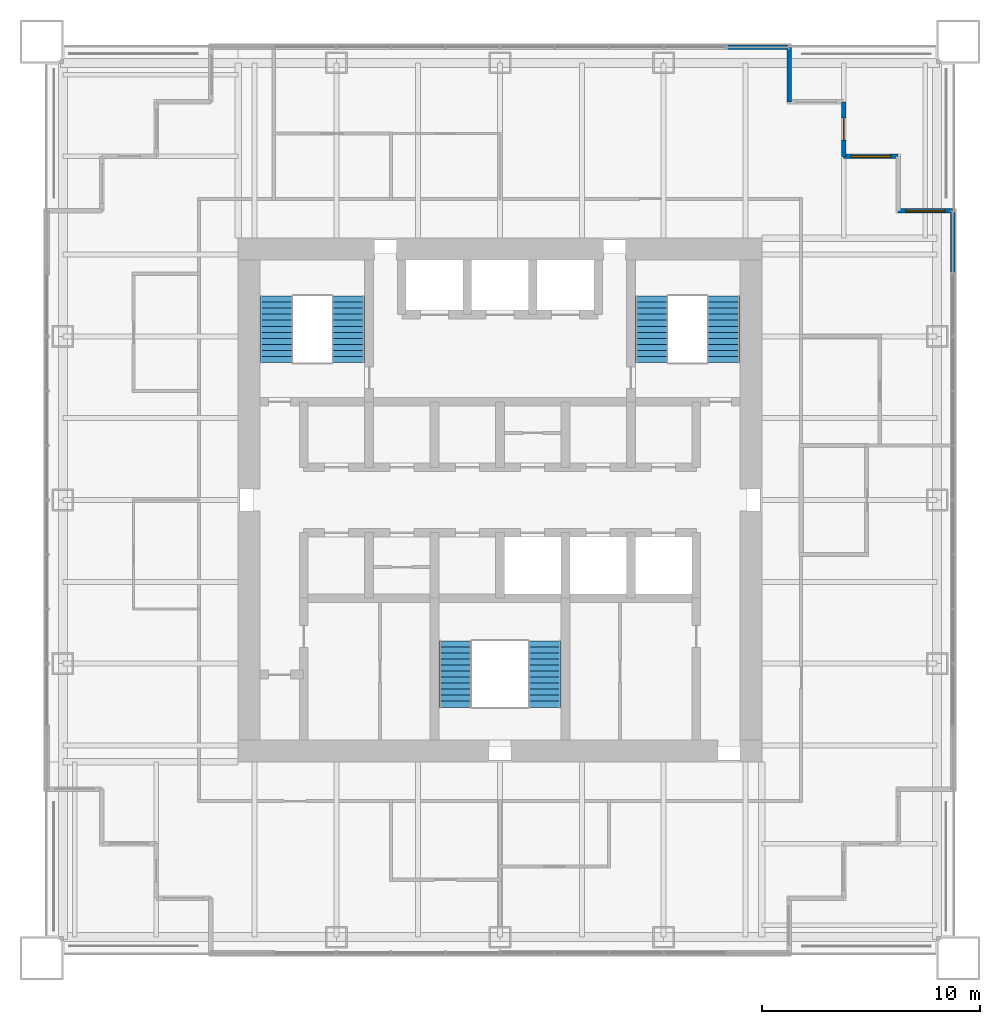
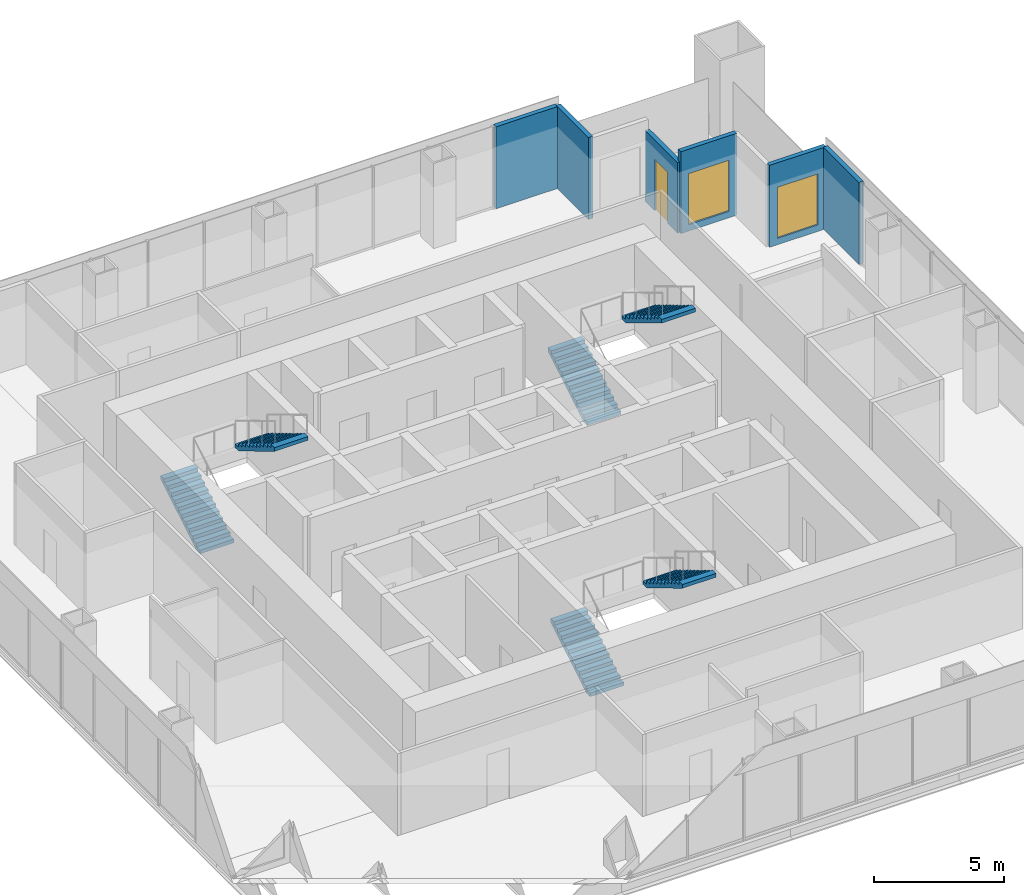
# One storey, part 12 of 14: 6 stair flights, 6 walls, 2 windows, 1 door, 3 openings, 3 elements without a shape of their own.
"""IFC4 building model written with IfcOpenShell, lengths in metres."""

import ifcopenshell
import ifcopenshell.guid

model = None  # the IFC model being written
_history = None  # IfcOwnerHistory: only IFC2X3 demands one
_inside = {}  # id of a spatial element -> (the spatial element, [elements in it])
_under = {}  # id of a project, library or spatial element -> (it, [spatial elements below it])
_declared = {}  # id of a project -> (the project, [libraries it declares])
_typed = {}  # id of a type object -> (the type object, [elements of that type])
_made_of = {}  # id of a material, layer set ... -> (it, [elements and type objects made of it])


def new_model(schema):
    """Start an empty IFC model of exactly this schema.

    Asked for "IFC4X3", IfcOpenShell would pick the latest addendum, in which some entities
    have other attributes; the version numbers below select the first issue.
    IFC2X3 requires an IfcOwnerHistory on every rooted entity: one is made here for all.
    """
    global model, _history
    if schema == "IFC4X3":
        model = ifcopenshell.file(schema_version=(4, 3, 0, 0))
    else:
        model = ifcopenshell.file(schema=schema)
    _inside.clear()
    _under.clear()
    _declared.clear()
    _typed.clear()
    _made_of.clear()
    _history = None
    if model.schema == "IFC2X3":
        org = make("IfcOrganization", Name="unknown")
        user = make(
            "IfcPersonAndOrganization",
            ThePerson=make("IfcPerson", FamilyName="unknown"),
            TheOrganization=org,
        )
        app = make(
            "IfcApplication",
            ApplicationDeveloper=org,
            Version="unknown",
            ApplicationFullName="unknown",
            ApplicationIdentifier="unknown",
        )
        _history = make(
            "IfcOwnerHistory",
            OwningUser=user,
            OwningApplication=app,
            ChangeAction="ADDED",
            CreationDate=0,
        )
    return model


def make(cls, **values):
    """One entity of the class cls with the attributes given. An attribute that is None is left unset."""
    return model.create_entity(
        cls, **{name: value for name, value in values.items() if value is not None}
    )


def rooted(cls, **values):
    """An entity with a GlobalId (a new one), such as an element, a storey or a relation."""
    return make(cls, GlobalId=ifcopenshell.guid.new(), OwnerHistory=_history, **values)


def si_unit(unit_type, name, prefix=None):
    """IfcSIUnit, for example si_unit("LENGTHUNIT", "METRE", prefix="MILLI")."""
    return make("IfcSIUnit", UnitType=unit_type, Prefix=prefix, Name=name)


def assignment(units):
    """IfcUnitAssignment: the units of a project."""
    return None if units is None else make("IfcUnitAssignment", Units=units)


def point(xyz):
    """IfcCartesianPoint."""
    return None if xyz is None else make("IfcCartesianPoint", Coordinates=xyz)


def direction(xyz):
    """IfcDirection."""
    return None if xyz is None else make("IfcDirection", DirectionRatios=xyz)


def frame(location, z_axis=None, x_axis=None):
    """IfcAxis2Placement3D, a coordinate frame: its origin and axes. An axis left out is left unset."""
    return make(
        "IfcAxis2Placement3D",
        Location=point(location),
        Axis=direction(z_axis),
        RefDirection=direction(x_axis),
    )


def frame_2d(location, x_axis=None):
    """IfcAxis2Placement2D, a coordinate frame in the plane: its origin and x axis."""
    return make(
        "IfcAxis2Placement2D", Location=point(location), RefDirection=direction(x_axis)
    )


def origin():
    """The frame at (0, 0, 0) with its axes left unset."""
    return frame((0.0, 0.0, 0.0))


def place(relative_to, where):
    """IfcLocalPlacement: puts the frame where relative to a parent placement (None: the world)."""
    return make(
        "IfcLocalPlacement", PlacementRelTo=relative_to, RelativePlacement=where
    )


def context(
    kind, dimensions, precision=None, world=None, true_north=None, identifier=None
):
    """IfcGeometricRepresentationContext, for example the 3D "Model" context."""
    return make(
        "IfcGeometricRepresentationContext",
        ContextIdentifier=identifier,
        ContextType=kind,
        CoordinateSpaceDimension=dimensions,
        Precision=precision,
        WorldCoordinateSystem=world,
        TrueNorth=true_north,
    )


def subcontext(parent, identifier, kind, view, scale=None):
    """IfcGeometricRepresentationSubContext, for example "Body" below "Model"."""
    return make(
        "IfcGeometricRepresentationSubContext",
        ContextIdentifier=identifier,
        ContextType=kind,
        ParentContext=parent,
        TargetScale=scale,
        TargetView=view,
    )


def project(units=None, contexts=None):
    """IfcProject with its units and contexts."""
    return rooted(
        "IfcProject",
        Name="project",
        RepresentationContexts=contexts,
        UnitsInContext=assignment(units),
    )


def spatial(cls, under=None, at=None, **own):
    """A site, building, storey or space (cls), placed at a placement, below another one or the project."""
    s = rooted(cls, ObjectPlacement=at, **own)
    if under is not None:
        _under.setdefault(under.id(), (under, []))[1].append(s)
    return s


def polyline(points):
    """IfcPolyline through the points."""
    return make("IfcPolyline", Points=[point(p) for p in points])


def profile(cls, at=None, kind="AREA", **sizes):
    """A parametric profile (cls). Its sizes go by their IFC names, for example OverallWidth=200.0."""
    return make(cls, ProfileType=kind, Position=at, **sizes)


def rectangle(**sizes):
    """IfcRectangleProfileDef."""
    return profile("IfcRectangleProfileDef", **sizes)


def outline(outer, holes=None, kind="AREA"):
    """IfcArbitraryClosedProfileDef: a profile drawn as a closed curve; with holes, ...WithVoids."""
    if holes is None:
        return make("IfcArbitraryClosedProfileDef", ProfileType=kind, OuterCurve=outer)
    return make(
        "IfcArbitraryProfileDefWithVoids",
        ProfileType=kind,
        OuterCurve=outer,
        InnerCurves=holes,
    )


def extrude(swept, where, along, depth):
    """IfcExtrudedAreaSolid: the profile swept, set in the frame where, extruded along a direction by depth."""
    return make(
        "IfcExtrudedAreaSolid",
        SweptArea=swept,
        Position=where,
        ExtrudedDirection=direction(along),
        Depth=depth,
    )


def shape(context_of_items, identifier, shape_type, items):
    """IfcShapeRepresentation: the items that make up one representation, for example the "Body"."""
    return make(
        "IfcShapeRepresentation",
        ContextOfItems=context_of_items,
        RepresentationIdentifier=identifier,
        RepresentationType=shape_type,
        Items=items,
    )


def material(Name=None, Category=None):
    """IfcMaterial."""
    return make("IfcMaterial", Name=Name, Category=Category)


def layer(
    of_material, thickness, ventilated=None, Name=None, Category=None, Priority=None
):
    """IfcMaterialLayer: one layer of a wall or slab, of a material (None: an air gap)."""
    return make(
        "IfcMaterialLayer",
        Material=of_material,
        LayerThickness=thickness,
        IsVentilated=ventilated,
        Name=Name,
        Category=Category,
        Priority=Priority,
    )


def layer_set(layers, Name=None):
    """IfcMaterialLayerSet."""
    return make("IfcMaterialLayerSet", MaterialLayers=layers, LayerSetName=Name)


def made_of(thing, what):
    """Note that an element or type object is made of a material, layer set ...; save() writes the relation."""
    if what is not None:
        _made_of.setdefault(what.id(), (what, []))[1].append(thing)
    return thing


def type_object(cls, material=None, **own):
    """A type object (cls), such as IfcWallType, which elements share."""
    return made_of(rooted(cls, **own), material)


def element(
    cls,
    number,
    at=None,
    inside=None,
    cuts=None,
    type_object=None,
    material=None,
    context=None,
    identifier="Body",
    shape_type=None,
    held_by="IfcProductDefinitionShape",
    body=None,
    shapes=None,
    **own,
):
    """One element of the class cls, such as IfcWall. Its Tag is "e" and its number.

    at: its placement. inside: the storey or other place that contains it. cuts: it is an
    opening in that element (IfcRelVoidsElement). A single representation is given by context,
    identifier, shape_type and body (its items); several are given by shapes. held_by: the class
    of the entity that holds the representations. save() writes the other relations.
    """
    e = rooted(cls, Tag="e%d" % number, ObjectPlacement=at, **own)
    if body is not None:
        shapes = [shape(context, identifier, shape_type, body)]
    if shapes is not None:
        e.Representation = make(held_by, Representations=shapes)
    if inside is not None:
        _inside.setdefault(inside.id(), (inside, []))[1].append(e)
    if cuts is not None:
        rooted(
            "IfcRelVoidsElement", RelatingBuildingElement=cuts, RelatedOpeningElement=e
        )
    if type_object is not None:
        _typed.setdefault(type_object.id(), (type_object, []))[1].append(e)
    return made_of(e, material)


def fill(opening, filler):
    """IfcRelFillsElement: the door or window that sits in an opening."""
    return rooted(
        "IfcRelFillsElement",
        RelatingOpeningElement=opening,
        RelatedBuildingElement=filler,
    )


def aggregate(whole, parts):
    """IfcRelAggregates: a whole, such as a stair, and the parts it consists of."""
    return rooted("IfcRelAggregates", RelatingObject=whole, RelatedObjects=parts)


def save(model, path):
    """Write the relations noted so far, then the file.

    IfcRelAggregates (storeys below a building ...), IfcRelContainedInSpatialStructure (elements
    in a storey), IfcRelDefinesByType, IfcRelAssociatesMaterial and IfcRelDeclares: one each for
    every whole, place, type object, material and project.
    """
    for whole, parts in _under.values():
        aggregate(whole, parts)
    for where, things in _inside.values():
        rooted(
            "IfcRelContainedInSpatialStructure",
            RelatedElements=things,
            RelatingStructure=where,
        )
    for kind, things in _typed.values():
        rooted("IfcRelDefinesByType", RelatedObjects=things, RelatingType=kind)
    for what, things in _made_of.values():
        rooted("IfcRelAssociatesMaterial", RelatedObjects=things, RelatingMaterial=what)
    for by, libraries in _declared.values():
        rooted("IfcRelDeclares", RelatingContext=by, RelatedDefinitions=libraries)
    model.write(path)


model = new_model("IFC4")

# Units and contexts
model_context = context("Model", 3, precision=1e-05, world=origin(), true_north=direction((0.0, 1.0)))
body_context = subcontext(model_context, "Body", "Model", "MODEL_VIEW")
ifc_project = project(units=[si_unit("LENGTHUNIT", "METRE"), si_unit("AREAUNIT", "SQUARE_METRE"), si_unit("VOLUMEUNIT", "CUBIC_METRE"), si_unit("PLANEANGLEUNIT", "RADIAN"), si_unit("MASSUNIT", "GRAM", prefix="KILO")], contexts=[model_context])

# Site, building, storey
site_placement = place(None, origin())
site = spatial("IfcSite", under=ifc_project, at=site_placement, CompositionType="ELEMENT")
building_placement = place(site_placement, origin())
building = spatial("IfcBuilding", under=site, at=building_placement, Name="Tarangal Relay Tower", CompositionType="ELEMENT")
storey_placement = place(building_placement, frame((0.0, 0.0, 263.89990234375)))
storey = spatial("IfcBuildingStorey", under=building, at=storey_placement, Name="L57", CompositionType="ELEMENT", Elevation=263.89990234375)

# Wall
ifc_material_1 = material(Name="Black metal clad insulated wall", Category="steel")
ifc_layer_1 = layer(ifc_material_1, 0.199951171875)
ifc_layer_set_1 = layer_set([ifc_layer_1], Name="Corner wall metal clad 200")
wall_type_1 = type_object("IfcWallType", Name="Corner wall metal clad 200", PredefinedType="SOLIDWALL", material=ifc_layer_set_1)
wall_1_placement = place(storey_placement, frame((13.25, 20.75, 0.0), z_axis=(0.0, 0.0, 1.0), x_axis=(0.0, -1.0, 0.0)))
element("IfcWall", 1, at=wall_1_placement, inside=storey, type_object=wall_type_1, Name="Facade wall N facade L57", PredefinedType="SOLIDWALL", context=body_context, shape_type="SweptSolid", body=[
    extrude(rectangle(XDim=2.5, YDim=0.199951171875, at=frame_2d((1.25, 0.0))), origin(), (0.0, 0.0, 1.0), 3.85009765625),
])

# Wall, opening, door
wall_2_placement = place(storey_placement, frame((15.75, 18.25, 0.0), z_axis=(0.0, 0.0, 1.0), x_axis=(0.0, -1.0, 0.0)))
wall_2 = element("IfcWall", 2, at=wall_2_placement, inside=storey, type_object=wall_type_1, Name="Facade wall N facade L57", PredefinedType="SOLIDWALL", context=body_context, shape_type="SweptSolid", body=[
    extrude(rectangle(XDim=2.5, YDim=0.199951171875, at=frame_2d((1.25, 0.0))), origin(), (0.0, 0.0, 1.0), 3.316650390625),
])
opening_1_placement = place(wall_2_placement, frame((0.75, 0.0, 0.0)))
opening_1 = element("IfcOpeningElement", 3, at=opening_1_placement, cuts=wall_2, Name="Opening TD1", PredefinedType="OPENING", context=body_context, shape_type="SweptSolid", body=[
    extrude(rectangle(XDim=1.0, YDim=2.39990234375, at=frame_2d((0.5, 1.199951171875))), frame((0.0, 0.10986328125, 0.0), z_axis=(0.0, -1.0, 0.0), x_axis=(1.0, 0.0, 0.0)), (0.0, 0.0, 1.0), 0.219970703125),
])
ifc_material_2 = material(Name="Aluminium glazed door", Category="aluminium")
door_type = type_object("IfcDoorType", Name="Terrace door 1000 x 2400", OperationType="SINGLE_SWING_RIGHT", PredefinedType="DOOR", material=ifc_material_2)
door_placement = place(opening_1_placement, origin())
door = element("IfcDoor", 4, at=door_placement, inside=storey, type_object=door_type, Name="Terrace door TD1 NE L57", OperationType="SINGLE_SWING_RIGHT", OverallHeight=2.39990234375, OverallWidth=1.0, PredefinedType="DOOR", context=body_context, shape_type="SweptSolid", body=[
    extrude(rectangle(XDim=1.0, YDim=2.39990234375, at=frame_2d((0.5, 1.199951171875))), frame((0.0, 0.02490234375, 0.0), z_axis=(0.0, -1.0, 0.0), x_axis=(1.0, 0.0, 0.0)), (0.0, 0.0, 1.0), 0.050048828125),
])
fill(opening_1, door)

# Wall, opening, window
wall_3_placement = place(storey_placement, frame((15.75, 15.75, 0.0), z_axis=(0.0, 0.0, 1.0), x_axis=(1.0, 0.0, 0.0)))
wall_3 = element("IfcWall", 5, at=wall_3_placement, inside=storey, type_object=wall_type_1, Name="Facade wall N facade L57", PredefinedType="SOLIDWALL", context=body_context, shape_type="SweptSolid", body=[
    extrude(rectangle(XDim=2.5, YDim=0.199951171875, at=frame_2d((1.25, 0.0))), origin(), (0.0, 0.0, 1.0), 3.85009765625),
])
opening_2_placement = place(wall_3_placement, frame((0.35009765625, 0.0, 0.300048828125)))
opening_2 = element("IfcOpeningElement", 6, at=opening_2_placement, cuts=wall_3, Name="Opening WN2", PredefinedType="OPENING", context=body_context, shape_type="SweptSolid", body=[
    extrude(rectangle(XDim=1.800048828125, YDim=2.39990234375, at=frame_2d((0.89990234375, 1.199951171875))), frame((0.0, 0.10986328125, 0.0), z_axis=(0.0, -1.0, 0.0), x_axis=(1.0, 0.0, 0.0)), (0.0, 0.0, 1.0), 0.219970703125),
])
ifc_material_3 = material(Name="Dark tinted double glazing in black aluminium frame", Category="aluminium")
window_type = type_object("IfcWindowType", Name="Corner window 1800 x 2400", PartitioningType="SINGLE_PANEL", PredefinedType="WINDOW", material=ifc_material_3)
window_1_placement = place(opening_2_placement, origin())
window_1 = element("IfcWindow", 7, at=window_1_placement, inside=storey, type_object=window_type, Name="Corner window WN2 N facade L57", OverallHeight=2.39990234375, OverallWidth=1.800048828125, PartitioningType="SINGLE_PANEL", PredefinedType="WINDOW", context=body_context, shape_type="SweptSolid", body=[
    extrude(rectangle(XDim=1.800048828125, YDim=2.39990234375, at=frame_2d((0.89990234375, 1.199951171875))), frame((0.0, 0.030029296875, 0.0), z_axis=(0.0, -1.0, 0.0), x_axis=(1.0, 0.0, 0.0)), (0.0, 0.0, 1.0), 0.06005859375),
])
fill(opening_2, window_1)

wall_4_placement = place(storey_placement, frame((18.25, 13.25, 0.0), z_axis=(0.0, 0.0, 1.0), x_axis=(1.0, 0.0, 0.0)))
wall_4 = element("IfcWall", 8, at=wall_4_placement, inside=storey, type_object=wall_type_1, Name="Facade wall N facade L57", PredefinedType="SOLIDWALL", context=body_context, shape_type="SweptSolid", body=[
    extrude(rectangle(XDim=2.5, YDim=0.199951171875, at=frame_2d((1.25, 0.0))), origin(), (0.0, 0.0, 1.0), 3.85009765625),
])
opening_3_placement = place(wall_4_placement, frame((0.35009765625, 0.0, 0.300048828125)))
opening_3 = element("IfcOpeningElement", 9, at=opening_3_placement, cuts=wall_4, Name="Opening WN2", PredefinedType="OPENING", context=body_context, shape_type="SweptSolid", body=[
    extrude(rectangle(XDim=1.800048828125, YDim=2.39990234375, at=frame_2d((0.89990234375, 1.199951171875))), frame((0.0, 0.10986328125, 0.0), z_axis=(0.0, -1.0, 0.0), x_axis=(1.0, 0.0, 0.0)), (0.0, 0.0, 1.0), 0.219970703125),
])
window_2_placement = place(opening_3_placement, origin())
window_2 = element("IfcWindow", 10, at=window_2_placement, inside=storey, type_object=window_type, Name="Corner window WN2 N facade L57", OverallHeight=2.39990234375, OverallWidth=1.800048828125, PartitioningType="SINGLE_PANEL", PredefinedType="WINDOW", context=body_context, shape_type="SweptSolid", body=[
    extrude(rectangle(XDim=1.800048828125, YDim=2.39990234375, at=frame_2d((0.89990234375, 1.199951171875))), frame((0.0, 0.030029296875, 0.0), z_axis=(0.0, -1.0, 0.0), x_axis=(1.0, 0.0, 0.0)), (0.0, 0.0, 1.0), 0.06005859375),
])
fill(opening_3, window_2)

# Walls
ifc_layer_2 = layer(ifc_material_1, 0.199951171875)
ifc_layer_set_2 = layer_set([ifc_layer_2], Name="Facade infill wall metal clad 200")
wall_type_2 = type_object("IfcWallType", Name="Facade infill wall metal clad 200", PredefinedType="SOLIDWALL", material=ifc_layer_set_2)
for number, where, z_axis, x_axis, name in (
    (11, (10.43505859375, 20.75, 0.0), (0.0, 0.0, 1.0), (1.0, 0.0, 0.0), "Facade infill wall N facade L57 1.1"),
    (12, (20.75, 13.18994140625, 0.0), (0.0, 0.0, 1.0), (0.0, -1.0, 0.0), "Facade infill wall E facade L57 1.1"),
):
    element("IfcWall", number, at=place(storey_placement, frame(where, z_axis=z_axis, x_axis=x_axis)), inside=storey, type_object=wall_type_2, Name=name, PredefinedType="SOLIDWALL", context=body_context, shape_type="SweptSolid", body=[
        extrude(rectangle(XDim=2.7548828125, YDim=0.199951171875, at=frame_2d((1.37744140625, 0.0))), origin(), (0.0, 0.0, 1.0), 3.85009765625),
    ])

# Stair, stair flights
ifc_material_4 = material(Name="Steel ASTM A992 stair flight", Category="steel")
stair_type = type_object("IfcStairType", Name="Core stair 1500", PredefinedType="HALF_TURN_STAIR", material=ifc_material_4)
stair_1_placement = place(storey_placement, origin())
stair_1 = element("IfcStair", 13, at=stair_1_placement, inside=storey, type_object=stair_type, Name="Stair ST-A L57", PredefinedType="HALF_TURN_STAIR")
stair_flight_type = type_object("IfcStairFlightType", Name="Steel stair flight 1500, 12 risers 167 x 277", PredefinedType="STRAIGHT", material=ifc_material_4)
stair_flight_1_placement = place(storey_placement, frame((-10.25, 6.300048828125, 0.0), z_axis=(0.0, 0.0, 1.0), x_axis=(0.0, 1.0, 0.0)))
stair_flight_1 = element("IfcStairFlight", 14, at=stair_flight_1_placement, type_object=stair_flight_type, Name="ST-A flight 1", NumberOfRisers=12, NumberOfTreads=11, PredefinedType="STRAIGHT", RiserHeight=0.166666667, TreadLength=0.277, context=body_context, shape_type="SweptSolid", body=[
    extrude(outline(polyline([(0.0, 0.0), (0.0, 0.166748046875), (0.277099609375, 0.166748046875), (0.277099609375, 0.333251953125), (0.553955078125, 0.333251953125), (0.553955078125, 0.5), (0.8310546875, 0.5), (0.8310546875, 0.666748046875), (1.10791015625, 0.666748046875), (1.10791015625, 0.833251953125), (1.385009765625, 0.833251953125), (1.385009765625, 1.0), (1.662109375, 1.0), (1.662109375, 1.166748046875), (1.93896484375, 1.166748046875), (1.93896484375, 1.333251953125), (2.216064453125, 1.333251953125), (2.216064453125, 1.5), (2.492919921875, 1.5), (2.492919921875, 1.666748046875), (2.77001953125, 1.666748046875), (2.77001953125, 1.833251953125), (3.047119140625, 1.833251953125), (3.047119140625, 2.0), (3.047119140625, 1.658447265625), (0.290771484375, 0.0), (0.0, 0.0)])), frame((0.0, 0.75, 0.0), z_axis=(0.0, -1.0, 0.0), x_axis=(1.0, 0.0, 0.0)), (0.0, 0.0, 1.0), 1.5),
])
stair_flight_2_placement = place(storey_placement, frame((-6.949951171875, 9.346923828125, 2.0), z_axis=(0.0, 0.0, 1.0), x_axis=(0.0, -1.0, 0.0)))
stair_flight_2 = element("IfcStairFlight", 15, at=stair_flight_2_placement, type_object=stair_flight_type, Name="ST-A flight 2", NumberOfRisers=12, NumberOfTreads=11, PredefinedType="STRAIGHT", RiserHeight=0.166666667, TreadLength=0.277, context=body_context, shape_type="SweptSolid", body=[
    extrude(outline(polyline([(0.0, 0.0), (0.0, 0.166748046875), (0.277099609375, 0.166748046875), (0.277099609375, 0.333251953125), (0.553955078125, 0.333251953125), (0.553955078125, 0.5), (0.8310546875, 0.5), (0.8310546875, 0.666748046875), (1.10791015625, 0.666748046875), (1.10791015625, 0.833251953125), (1.385009765625, 0.833251953125), (1.385009765625, 1.0), (1.662109375, 1.0), (1.662109375, 1.166748046875), (1.93896484375, 1.166748046875), (1.93896484375, 1.333251953125), (2.216064453125, 1.333251953125), (2.216064453125, 1.5), (2.492919921875, 1.5), (2.492919921875, 1.666748046875), (2.77001953125, 1.666748046875), (2.77001953125, 1.833251953125), (3.047119140625, 1.833251953125), (3.047119140625, 2.0), (3.047119140625, 1.658447265625), (0.290771484375, 0.0), (0.0, 0.0)])), frame((0.0, 0.75, 0.0), z_axis=(0.0, -1.0, 0.0), x_axis=(1.0, 0.0, 0.0)), (0.0, 0.0, 1.0), 1.5),
])
aggregate(stair_1, [stair_flight_1, stair_flight_2])

stair_2_placement = place(storey_placement, origin())
stair_2 = element("IfcStair", 16, at=stair_2_placement, inside=storey, type_object=stair_type, Name="Stair ST-B L57", PredefinedType="HALF_TURN_STAIR")
stair_flight_3_placement = place(storey_placement, frame((6.949951171875, 6.300048828125, 0.0), z_axis=(0.0, 0.0, 1.0), x_axis=(0.0, 1.0, 0.0)))
stair_flight_3 = element("IfcStairFlight", 17, at=stair_flight_3_placement, type_object=stair_flight_type, Name="ST-B flight 1", NumberOfRisers=12, NumberOfTreads=11, PredefinedType="STRAIGHT", RiserHeight=0.166666667, TreadLength=0.277, context=body_context, shape_type="SweptSolid", body=[
    extrude(outline(polyline([(0.0, 0.0), (0.0, 0.166748046875), (0.277099609375, 0.166748046875), (0.277099609375, 0.333251953125), (0.553955078125, 0.333251953125), (0.553955078125, 0.5), (0.8310546875, 0.5), (0.8310546875, 0.666748046875), (1.10791015625, 0.666748046875), (1.10791015625, 0.833251953125), (1.385009765625, 0.833251953125), (1.385009765625, 1.0), (1.662109375, 1.0), (1.662109375, 1.166748046875), (1.93896484375, 1.166748046875), (1.93896484375, 1.333251953125), (2.216064453125, 1.333251953125), (2.216064453125, 1.5), (2.492919921875, 1.5), (2.492919921875, 1.666748046875), (2.77001953125, 1.666748046875), (2.77001953125, 1.833251953125), (3.047119140625, 1.833251953125), (3.047119140625, 2.0), (3.047119140625, 1.658447265625), (0.290771484375, 0.0), (0.0, 0.0)])), frame((0.0, 0.75, 0.0), z_axis=(0.0, -1.0, 0.0), x_axis=(1.0, 0.0, 0.0)), (0.0, 0.0, 1.0), 1.5),
])
stair_flight_4_placement = place(storey_placement, frame((10.25, 9.346923828125, 2.0), z_axis=(0.0, 0.0, 1.0), x_axis=(0.0, -1.0, 0.0)))
stair_flight_4 = element("IfcStairFlight", 18, at=stair_flight_4_placement, type_object=stair_flight_type, Name="ST-B flight 2", NumberOfRisers=12, NumberOfTreads=11, PredefinedType="STRAIGHT", RiserHeight=0.166666667, TreadLength=0.277, context=body_context, shape_type="SweptSolid", body=[
    extrude(outline(polyline([(0.0, 0.0), (0.0, 0.166748046875), (0.277099609375, 0.166748046875), (0.277099609375, 0.333251953125), (0.553955078125, 0.333251953125), (0.553955078125, 0.5), (0.8310546875, 0.5), (0.8310546875, 0.666748046875), (1.10791015625, 0.666748046875), (1.10791015625, 0.833251953125), (1.385009765625, 0.833251953125), (1.385009765625, 1.0), (1.662109375, 1.0), (1.662109375, 1.166748046875), (1.93896484375, 1.166748046875), (1.93896484375, 1.333251953125), (2.216064453125, 1.333251953125), (2.216064453125, 1.5), (2.492919921875, 1.5), (2.492919921875, 1.666748046875), (2.77001953125, 1.666748046875), (2.77001953125, 1.833251953125), (3.047119140625, 1.833251953125), (3.047119140625, 2.0), (3.047119140625, 1.658447265625), (0.290771484375, 0.0), (0.0, 0.0)])), frame((0.0, 0.75, 0.0), z_axis=(0.0, -1.0, 0.0), x_axis=(1.0, 0.0, 0.0)), (0.0, 0.0, 1.0), 1.5),
])
aggregate(stair_2, [stair_flight_3, stair_flight_4])

stair_3_placement = place(storey_placement, origin())
stair_3 = element("IfcStair", 19, at=stair_3_placement, inside=storey, type_object=stair_type, Name="Stair ST-C L57", PredefinedType="HALF_TURN_STAIR")
stair_flight_5_placement = place(storey_placement, frame((-2.050048828125, -9.5, 0.0), z_axis=(0.0, 0.0, 1.0), x_axis=(0.0, 1.0, 0.0)))
stair_flight_5 = element("IfcStairFlight", 20, at=stair_flight_5_placement, type_object=stair_flight_type, Name="ST-C flight 1", NumberOfRisers=12, NumberOfTreads=11, PredefinedType="STRAIGHT", RiserHeight=0.166666667, TreadLength=0.277, context=body_context, shape_type="SweptSolid", body=[
    extrude(outline(polyline([(0.0, 0.0), (0.0, 0.166748046875), (0.277099609375, 0.166748046875), (0.277099609375, 0.333251953125), (0.553955078125, 0.333251953125), (0.553955078125, 0.5), (0.8310546875, 0.5), (0.8310546875, 0.666748046875), (1.10791015625, 0.666748046875), (1.10791015625, 0.833251953125), (1.385009765625, 0.833251953125), (1.385009765625, 1.0), (1.662109375, 1.0), (1.662109375, 1.166748046875), (1.93896484375, 1.166748046875), (1.93896484375, 1.333251953125), (2.216064453125, 1.333251953125), (2.216064453125, 1.5), (2.492919921875, 1.5), (2.492919921875, 1.666748046875), (2.77001953125, 1.666748046875), (2.77001953125, 1.833251953125), (3.047119140625, 1.833251953125), (3.047119140625, 2.0), (3.047119140625, 1.658447265625), (0.290771484375, 0.0), (0.0, 0.0)])), frame((0.0, 0.75, 0.0), z_axis=(0.0, -1.0, 0.0), x_axis=(1.0, 0.0, 0.0)), (0.0, 0.0, 1.0), 1.5),
])
stair_flight_6_placement = place(storey_placement, frame((2.050048828125, -6.452880859375, 2.0), z_axis=(0.0, 0.0, 1.0), x_axis=(0.0, -1.0, 0.0)))
stair_flight_6 = element("IfcStairFlight", 21, at=stair_flight_6_placement, type_object=stair_flight_type, Name="ST-C flight 2", NumberOfRisers=12, NumberOfTreads=11, PredefinedType="STRAIGHT", RiserHeight=0.166666667, TreadLength=0.277, context=body_context, shape_type="SweptSolid", body=[
    extrude(outline(polyline([(0.0, 0.0), (0.0, 0.166748046875), (0.277099609375, 0.166748046875), (0.277099609375, 0.333251953125), (0.553955078125, 0.333251953125), (0.553955078125, 0.5), (0.8310546875, 0.5), (0.8310546875, 0.666748046875), (1.10791015625, 0.666748046875), (1.10791015625, 0.833251953125), (1.385009765625, 0.833251953125), (1.385009765625, 1.0), (1.662109375, 1.0), (1.662109375, 1.166748046875), (1.93896484375, 1.166748046875), (1.93896484375, 1.333251953125), (2.216064453125, 1.333251953125), (2.216064453125, 1.5), (2.492919921875, 1.5), (2.492919921875, 1.666748046875), (2.77001953125, 1.666748046875), (2.77001953125, 1.833251953125), (3.047119140625, 1.833251953125), (3.047119140625, 2.0), (3.047119140625, 1.658447265625), (0.290771484375, 0.0), (0.0, 0.0)])), frame((0.0, 0.75, 0.0), z_axis=(0.0, -1.0, 0.0), x_axis=(1.0, 0.0, 0.0)), (0.0, 0.0, 1.0), 1.5),
])
aggregate(stair_3, [stair_flight_5, stair_flight_6])

save(model, "model.ifc")
